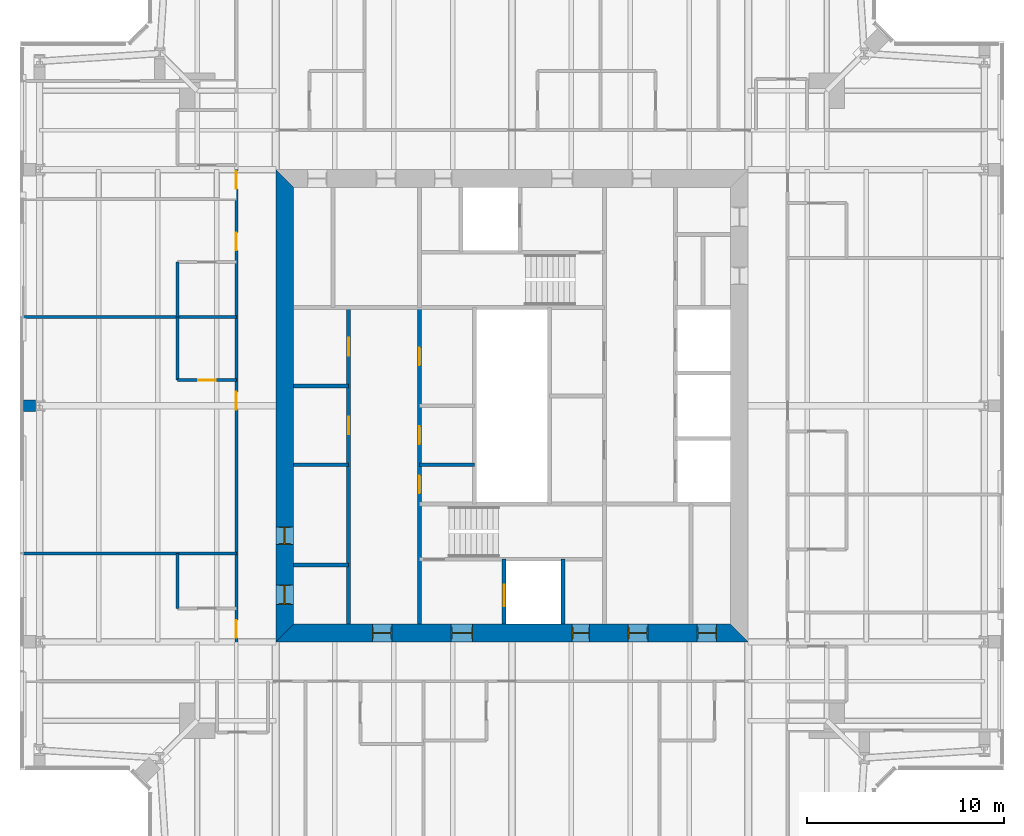
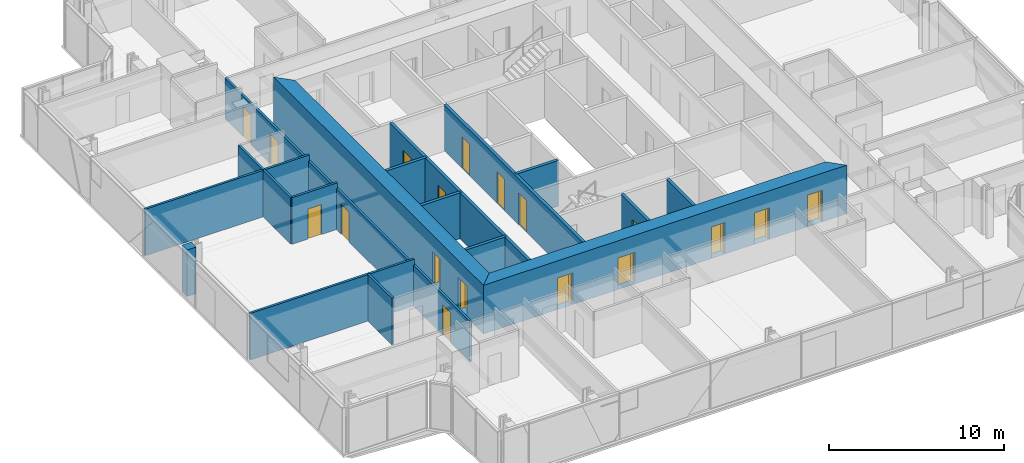
# One storey, part 12 of 19: 18 doors, 18 walls, 18 openings.
"""IFC4 building model written with IfcOpenShell, lengths in metres."""

from ifc_helpers import new_model, si_unit, direction, frame, frame_2d, origin, place, context, subcontext, project, spatial, polyline, rectangle, outline, extrude, material, layer, layer_set, type_object, element, fill, save


model = new_model("IFC4")

# Units and contexts
model_context = context("Model", 3, precision=1e-05, world=origin(), true_north=direction((0.0, 1.0)))
body_context = subcontext(model_context, "Body", "Model", "MODEL_VIEW")
ifc_project = project(units=[si_unit("LENGTHUNIT", "METRE"), si_unit("AREAUNIT", "SQUARE_METRE"), si_unit("VOLUMEUNIT", "CUBIC_METRE"), si_unit("PLANEANGLEUNIT", "RADIAN"), si_unit("MASSUNIT", "GRAM", prefix="KILO")], contexts=[model_context])

# Site, building, storey
site_placement = place(None, origin())
site = spatial("IfcSite", under=ifc_project, at=site_placement, CompositionType="ELEMENT")
building_placement = place(site_placement, origin())
building = spatial("IfcBuilding", under=site, at=building_placement, Name="Fenwick Lantern Interchange", CompositionType="ELEMENT")
storey_placement = place(building_placement, frame((0.0, 0.0, 273.0)))
storey = spatial("IfcBuildingStorey", under=building, at=storey_placement, Name="L65", CompositionType="ELEMENT", Elevation=273.0)

# Wall
ifc_material_1 = material(Name="Fire-rated gypsum board encasement on steel studs, 2 hour", Category="steel")
ifc_layer_1 = layer(ifc_material_1, 0.574951171875)
ifc_layer_set_1 = layer_set([ifc_layer_1], Name="COLUMN PIER 575")
wall_type_1 = type_object("IfcWallType", Name="COLUMN PIER 575", PredefinedType="PARTITIONING", material=ifc_layer_set_1)
wall_1_placement = place(storey_placement, frame((0.18994140625, 25.0, 0.0), z_axis=(0.0, 0.0, 1.0), x_axis=(1.0, 0.0, 0.0)))
element("IfcWall", 1, at=wall_1_placement, inside=storey, type_object=wall_type_1, Name="L65/W/PIER/CW3", PredefinedType="PARTITIONING", context=body_context, shape_type="SweptSolid", body=[
    extrude(rectangle(XDim=0.597900390625, YDim=0.574951171875, at=frame_2d((0.298828125, 0.0))), origin(), (0.0, 0.0, 1.0), 3.25),
])

# Wall, openings, doors
ifc_material_2 = material(Name="Concrete masonry ASTM C90 Grade N", Category="masonry")
ifc_layer_2 = layer(ifc_material_2, 0.199951171875)
ifc_layer_set_2 = layer_set([ifc_layer_2], Name="Concrete masonry ASTM C90 Grade N")
wall_type_2 = type_object("IfcWallType", Name="CORE PARTITION 200", PredefinedType="PARTITIONING", material=ifc_layer_set_2)
wall_2_placement = place(storey_placement, frame((16.699951171875, 13.89990234375, 0.0), z_axis=(0.0, 0.0, 1.0), x_axis=(0.0, 1.0, 0.0)))
wall_2 = element("IfcWall", 2, at=wall_2_placement, inside=storey, type_object=wall_type_2, Name="L65/W/CORES/a", PredefinedType="PARTITIONING", context=body_context, shape_type="SweptSolid", body=[
    extrude(rectangle(XDim=16.10009765625, YDim=0.199951171875, at=frame_2d((8.050048828125, 0.0))), origin(), (0.0, 0.0, 1.0), 3.199951171875),
])
opening_1_placement = place(wall_2_placement, frame((9.64990234375, 0.0, 0.0)))
opening_1 = element("IfcOpeningElement", 3, at=opening_1_placement, cuts=wall_2, Name="Opening L65-D009", PredefinedType="OPENING", context=body_context, shape_type="SweptSolid", body=[
    extrude(rectangle(XDim=0.89990234375, YDim=2.199951171875, at=frame_2d((0.449951171875, 1.10009765625))), frame((0.0, 0.10986328125, 0.0), z_axis=(0.0, -1.0, 0.0), x_axis=(1.0, 0.0, 0.0)), (0.0, 0.0, 1.0), 0.219970703125),
])
opening_2_placement = place(wall_2_placement, frame((13.64990234375, 0.0, 0.0)))
opening_2 = element("IfcOpeningElement", 4, at=opening_2_placement, cuts=wall_2, Name="Opening L65-D010", PredefinedType="OPENING", context=body_context, shape_type="SweptSolid", body=[
    extrude(rectangle(XDim=0.89990234375, YDim=2.199951171875, at=frame_2d((0.449951171875, 1.10009765625))), frame((0.0, 0.10986328125, 0.0), z_axis=(0.0, -1.0, 0.0), x_axis=(1.0, 0.0, 0.0)), (0.0, 0.0, 1.0), 0.219970703125),
])
ifc_material_3 = material(Name="Steel door and frame", Category="steel")
door_type_1 = type_object("IfcDoorType", Name="SERVICE DOOR 900 X 2200", OperationType="SINGLE_SWING_LEFT", PredefinedType="DOOR", material=ifc_material_3)
door_1_placement = place(opening_1_placement, origin())
door_1 = element("IfcDoor", 5, at=door_1_placement, inside=storey, type_object=door_type_1, Name="Service door", OperationType="SINGLE_SWING_LEFT", OverallHeight=2.199951171875, OverallWidth=0.89990234375, PredefinedType="DOOR", context=body_context, shape_type="SweptSolid", body=[
    extrude(rectangle(XDim=0.89990234375, YDim=2.199951171875, at=frame_2d((0.449951171875, 1.10009765625))), frame((0.0, 0.02490234375, 0.0), z_axis=(0.0, -1.0, 0.0), x_axis=(1.0, 0.0, 0.0)), (0.0, 0.0, 1.0), 0.050048828125),
])
fill(opening_1, door_1)
door_2_placement = place(opening_2_placement, origin())
door_2 = element("IfcDoor", 6, at=door_2_placement, inside=storey, type_object=door_type_1, Name="Service door", OperationType="SINGLE_SWING_LEFT", OverallHeight=2.199951171875, OverallWidth=0.89990234375, PredefinedType="DOOR", context=body_context, shape_type="SweptSolid", body=[
    extrude(rectangle(XDim=0.89990234375, YDim=2.199951171875, at=frame_2d((0.449951171875, 1.10009765625))), frame((0.0, 0.02490234375, 0.0), z_axis=(0.0, -1.0, 0.0), x_axis=(1.0, 0.0, 0.0)), (0.0, 0.0, 1.0), 0.050048828125),
])
fill(opening_2, door_2)

# Wall, opening, door
wall_3_placement = place(storey_placement, frame((24.60009765625, 13.89990234375, 0.0), z_axis=(0.0, 0.0, 1.0), x_axis=(0.0, 1.0, 0.0)))
wall_3 = element("IfcWall", 7, at=wall_3_placement, inside=storey, type_object=wall_type_2, Name="L65/W/CORES/h1", PredefinedType="PARTITIONING", context=body_context, shape_type="SweptSolid", body=[
    extrude(rectangle(XDim=3.300048828125, YDim=0.199951171875, at=frame_2d((1.64990234375, 0.0))), origin(), (0.0, 0.0, 1.0), 3.199951171875),
])
opening_3_placement = place(wall_3_placement, frame((0.89990234375, 0.0, 0.0)))
opening_3 = element("IfcOpeningElement", 8, at=opening_3_placement, cuts=wall_3, Name="Opening LD-FL1", PredefinedType="OPENING", context=body_context, shape_type="SweptSolid", body=[
    extrude(rectangle(XDim=1.10009765625, YDim=2.199951171875, at=frame_2d((0.550048828125, 1.10009765625))), frame((0.0, 0.10986328125, 0.0), z_axis=(0.0, -1.0, 0.0), x_axis=(1.0, 0.0, 0.0)), (0.0, 0.0, 1.0), 0.219970703125),
])
door_type_2 = type_object("IfcDoorType", Name="LIFT LANDING DOOR 1100 X 2200", OperationType="DOUBLE_DOOR_SLIDING", PredefinedType="DOOR", material=ifc_material_3)
door_3_placement = place(opening_3_placement, origin())
door_3 = element("IfcDoor", 9, at=door_3_placement, inside=storey, type_object=door_type_2, Name="Lift landing door FL1", OperationType="DOUBLE_DOOR_SLIDING", OverallHeight=2.199951171875, OverallWidth=1.10009765625, PredefinedType="DOOR", context=body_context, shape_type="SweptSolid", body=[
    extrude(rectangle(XDim=1.10009765625, YDim=2.199951171875, at=frame_2d((0.550048828125, 1.10009765625))), frame((0.0, 0.02490234375, 0.0), z_axis=(0.0, -1.0, 0.0), x_axis=(1.0, 0.0, 0.0)), (0.0, 0.0, 1.0), 0.050048828125),
])
fill(opening_3, door_3)

# Walls
wall_4_placement = place(storey_placement, frame((27.60009765625, 13.89990234375, 0.0), z_axis=(0.0, 0.0, 1.0), x_axis=(0.0, 1.0, 0.0)))
element("IfcWall", 10, at=wall_4_placement, inside=storey, type_object=wall_type_2, Name="L65/W/CORES/h2", PredefinedType="PARTITIONING", context=body_context, shape_type="SweptSolid", body=[
    extrude(rectangle(XDim=3.300048828125, YDim=0.199951171875, at=frame_2d((1.64990234375, 0.0))), origin(), (0.0, 0.0, 1.0), 3.199951171875),
])
for number, where, z_axis, x_axis, name in (
    (11, (13.89990234375, 16.89990234375, 0.0), (0.0, 0.0, 1.0), (1.0, 0.0, 0.0), "L65/W/CORES/p1"),
    (12, (13.89990234375, 22.0, 0.0), (0.0, 0.0, 1.0), (1.0, 0.0, 0.0), "L65/W/CORES/p2"),
    (13, (13.89990234375, 26.0, 0.0), (0.0, 0.0, 1.0), (1.0, 0.0, 0.0), "L65/W/CORES/p3"),
    (14, (20.300048828125, 22.0, 0.0), (0.0, 0.0, 1.0), (1.0, 0.0, 0.0), "L65/W/CORES/q1"),
):
    element("IfcWall", number, at=place(storey_placement, frame(where, z_axis=z_axis, x_axis=x_axis)), inside=storey, type_object=wall_type_2, Name=name, PredefinedType="PARTITIONING", context=body_context, shape_type="SweptSolid", body=[
        extrude(rectangle(XDim=2.800048828125, YDim=0.199951171875, at=frame_2d((1.39990234375, 0.0))), origin(), (0.0, 0.0, 1.0), 3.199951171875),
    ])

# Wall, openings, doors
ifc_material_4 = material(Name="Concrete f'c 70 MPa", Category="concrete")
ifc_layer_3 = layer(ifc_material_4, 0.89990234375)
ifc_layer_set_3 = layer_set([ifc_layer_3], Name="CORE WALL 900")
wall_type_3 = type_object("IfcWallType", Name="CORE WALL 900", PredefinedType="SHEAR", material=ifc_layer_set_3)
wall_5_placement = place(storey_placement, frame((13.0, 13.449951171875, 0.0), z_axis=(0.0, 0.0, 1.0), x_axis=(1.0, 0.0, 0.0)))
wall_5 = element("IfcWall", 15, at=wall_5_placement, inside=storey, type_object=wall_type_3, Name="L65/CORE/S", PredefinedType="SHEAR", context=body_context, shape_type="SweptSolid", body=[
    extrude(outline(polyline([(0.0, -0.449951171875), (24.0, -0.449951171875), (23.10009765625, 0.449951171875), (0.89990234375, 0.449951171875), (0.0, -0.449951171875)])), origin(), (0.0, 0.0, 1.0), 3.39990234375),
])
opening_4_placement = place(wall_5_placement, frame((4.89990234375, 0.0, 0.0)))
opening_4 = element("IfcOpeningElement", 16, at=opening_4_placement, cuts=wall_5, Name="Opening L65-D001", PredefinedType="OPENING", context=body_context, shape_type="SweptSolid", body=[
    extrude(rectangle(XDim=1.0, YDim=2.199951171875, at=frame_2d((0.5, 1.10009765625))), frame((0.0, 0.4599609375, 0.0), z_axis=(0.0, -1.0, 0.0), x_axis=(1.0, 0.0, 0.0)), (0.0, 0.0, 1.0), 0.919921875),
])
opening_5_placement = place(wall_5_placement, frame((8.89990234375, 0.0, 0.0)))
opening_5 = element("IfcOpeningElement", 17, at=opening_5_placement, cuts=wall_5, Name="Opening L65-D002", PredefinedType="OPENING", context=body_context, shape_type="SweptSolid", body=[
    extrude(rectangle(XDim=1.10009765625, YDim=2.199951171875, at=frame_2d((0.550048828125, 1.10009765625))), frame((0.0, 0.4599609375, 0.0), z_axis=(0.0, -1.0, 0.0), x_axis=(1.0, 0.0, 0.0)), (0.0, 0.0, 1.0), 0.919921875),
])
opening_6_placement = place(wall_5_placement, frame((15.050048828125, 0.0, 0.0)))
opening_6 = element("IfcOpeningElement", 18, at=opening_6_placement, cuts=wall_5, Name="Opening L65-D004", PredefinedType="OPENING", context=body_context, shape_type="SweptSolid", body=[
    extrude(rectangle(XDim=0.89990234375, YDim=2.199951171875, at=frame_2d((0.449951171875, 1.10009765625))), frame((0.0, 0.4599609375, 0.0), z_axis=(0.0, -1.0, 0.0), x_axis=(1.0, 0.0, 0.0)), (0.0, 0.0, 1.0), 0.919921875),
])
opening_7_placement = place(wall_5_placement, frame((17.89990234375, 0.0, 0.0)))
opening_7 = element("IfcOpeningElement", 19, at=opening_7_placement, cuts=wall_5, Name="Opening L65-D005", PredefinedType="OPENING", context=body_context, shape_type="SweptSolid", body=[
    extrude(rectangle(XDim=1.0, YDim=2.199951171875, at=frame_2d((0.5, 1.10009765625))), frame((0.0, 0.4599609375, 0.0), z_axis=(0.0, -1.0, 0.0), x_axis=(1.0, 0.0, 0.0)), (0.0, 0.0, 1.0), 0.919921875),
])
opening_8_placement = place(wall_5_placement, frame((21.39990234375, 0.0, 0.0)))
opening_8 = element("IfcOpeningElement", 20, at=opening_8_placement, cuts=wall_5, Name="Opening L65-D006", PredefinedType="OPENING", context=body_context, shape_type="SweptSolid", body=[
    extrude(rectangle(XDim=1.0, YDim=2.199951171875, at=frame_2d((0.5, 1.10009765625))), frame((0.0, 0.4599609375, 0.0), z_axis=(0.0, -1.0, 0.0), x_axis=(1.0, 0.0, 0.0)), (0.0, 0.0, 1.0), 0.919921875),
])
door_type_3 = type_object("IfcDoorType", Name="CORE LOBBY DOOR 1000 X 2200", OperationType="SINGLE_SWING_LEFT", PredefinedType="DOOR", material=ifc_material_3)
door_4_placement = place(opening_4_placement, origin())
door_4 = element("IfcDoor", 21, at=door_4_placement, inside=storey, type_object=door_type_3, Name="Core lobby door", OperationType="SINGLE_SWING_LEFT", OverallHeight=2.199951171875, OverallWidth=1.0, PredefinedType="DOOR", context=body_context, shape_type="SweptSolid", body=[
    extrude(rectangle(XDim=1.0, YDim=2.199951171875, at=frame_2d((0.5, 1.10009765625))), frame((0.0, 0.02490234375, 0.0), z_axis=(0.0, -1.0, 0.0), x_axis=(1.0, 0.0, 0.0)), (0.0, 0.0, 1.0), 0.050048828125),
    extrude(outline(polyline([(0.0, 0.0), (0.0400390625, 0.0), (0.0400390625, 2.159912109375), (0.9599609375, 2.159912109375), (0.9599609375, 0.0), (1.0, 0.0), (1.0, 2.199951171875), (0.0, 2.199951171875), (0.0, 0.0)])), frame((0.0, 0.300048828125, 0.0), z_axis=(0.0, -1.0, 0.0), x_axis=(1.0, 0.0, 0.0)), (0.0, 0.0, 1.0), 0.60009765625),
])
fill(opening_4, door_4)
door_type_4 = type_object("IfcDoorType", Name="FIRE LOBBY DOOR 1100 X 2200", OperationType="SINGLE_SWING_LEFT", PredefinedType="DOOR", material=ifc_material_3)
door_5_placement = place(opening_5_placement, origin())
door_5 = element("IfcDoor", 22, at=door_5_placement, inside=storey, type_object=door_type_4, Name="Fire lobby door", OperationType="SINGLE_SWING_LEFT", OverallHeight=2.199951171875, OverallWidth=1.10009765625, PredefinedType="DOOR", context=body_context, shape_type="SweptSolid", body=[
    extrude(rectangle(XDim=1.10009765625, YDim=2.199951171875, at=frame_2d((0.550048828125, 1.10009765625))), frame((0.0, 0.02490234375, 0.0), z_axis=(0.0, -1.0, 0.0), x_axis=(1.0, 0.0, 0.0)), (0.0, 0.0, 1.0), 0.050048828125),
    extrude(outline(polyline([(0.0, 0.0), (0.0400390625, 0.0), (0.0400390625, 2.159912109375), (1.06005859375, 2.159912109375), (1.06005859375, 0.0), (1.10009765625, 0.0), (1.10009765625, 2.199951171875), (0.0, 2.199951171875), (0.0, 0.0)])), frame((0.0, 0.300048828125, 0.0), z_axis=(0.0, -1.0, 0.0), x_axis=(1.0, 0.0, 0.0)), (0.0, 0.0, 1.0), 0.60009765625),
])
fill(opening_5, door_5)
door_6_placement = place(opening_6_placement, origin())
door_6 = element("IfcDoor", 23, at=door_6_placement, inside=storey, type_object=door_type_1, Name="Service door", OperationType="SINGLE_SWING_LEFT", OverallHeight=2.199951171875, OverallWidth=0.89990234375, PredefinedType="DOOR", context=body_context, shape_type="SweptSolid", body=[
    extrude(rectangle(XDim=0.89990234375, YDim=2.199951171875, at=frame_2d((0.449951171875, 1.10009765625))), frame((0.0, 0.02490234375, 0.0), z_axis=(0.0, -1.0, 0.0), x_axis=(1.0, 0.0, 0.0)), (0.0, 0.0, 1.0), 0.050048828125),
    extrude(outline(polyline([(0.0, 0.0), (0.0400390625, 0.0), (0.0400390625, 2.159912109375), (0.85986328125, 2.159912109375), (0.85986328125, 0.0), (0.89990234375, 0.0), (0.89990234375, 2.199951171875), (0.0, 2.199951171875), (0.0, 0.0)])), frame((0.0, 0.300048828125, 0.0), z_axis=(0.0, -1.0, 0.0), x_axis=(1.0, 0.0, 0.0)), (0.0, 0.0, 1.0), 0.60009765625),
])
fill(opening_6, door_6)
ifc_material_5 = material(Name="Hardwood door and steel frame", Category="steel")
door_type_5 = type_object("IfcDoorType", Name="WC DOOR 1000 X 2200", OperationType="SINGLE_SWING_LEFT", PredefinedType="DOOR", material=ifc_material_5)
door_7_placement = place(opening_7_placement, origin())
door_7 = element("IfcDoor", 24, at=door_7_placement, inside=storey, type_object=door_type_5, Name="Wc door", OperationType="SINGLE_SWING_LEFT", OverallHeight=2.199951171875, OverallWidth=1.0, PredefinedType="DOOR", context=body_context, shape_type="SweptSolid", body=[
    extrude(rectangle(XDim=1.0, YDim=2.199951171875, at=frame_2d((0.5, 1.10009765625))), frame((0.0, 0.02490234375, 0.0), z_axis=(0.0, -1.0, 0.0), x_axis=(1.0, 0.0, 0.0)), (0.0, 0.0, 1.0), 0.050048828125),
    extrude(outline(polyline([(0.0, 0.0), (0.0400390625, 0.0), (0.0400390625, 2.159912109375), (0.9599609375, 2.159912109375), (0.9599609375, 0.0), (1.0, 0.0), (1.0, 2.199951171875), (0.0, 2.199951171875), (0.0, 0.0)])), frame((0.0, 0.300048828125, 0.0), z_axis=(0.0, -1.0, 0.0), x_axis=(1.0, 0.0, 0.0)), (0.0, 0.0, 1.0), 0.60009765625),
])
fill(opening_7, door_7)
door_8_placement = place(opening_8_placement, origin())
door_8 = element("IfcDoor", 25, at=door_8_placement, inside=storey, type_object=door_type_5, Name="Wc door", OperationType="SINGLE_SWING_LEFT", OverallHeight=2.199951171875, OverallWidth=1.0, PredefinedType="DOOR", context=body_context, shape_type="SweptSolid", body=[
    extrude(rectangle(XDim=1.0, YDim=2.199951171875, at=frame_2d((0.5, 1.10009765625))), frame((0.0, 0.02490234375, 0.0), z_axis=(0.0, -1.0, 0.0), x_axis=(1.0, 0.0, 0.0)), (0.0, 0.0, 1.0), 0.050048828125),
    extrude(outline(polyline([(0.0, 0.0), (0.0400390625, 0.0), (0.0400390625, 2.159912109375), (0.9599609375, 2.159912109375), (0.9599609375, 0.0), (1.0, 0.0), (1.0, 2.199951171875), (0.0, 2.199951171875), (0.0, 0.0)])), frame((0.0, 0.300048828125, 0.0), z_axis=(0.0, -1.0, 0.0), x_axis=(1.0, 0.0, 0.0)), (0.0, 0.0, 1.0), 0.60009765625),
])
fill(opening_8, door_8)

wall_6_placement = place(storey_placement, frame((13.449951171875, 36.10009765625, 0.0), z_axis=(0.0, 0.0, 1.0), x_axis=(0.0, -1.0, 0.0)))
wall_6 = element("IfcWall", 26, at=wall_6_placement, inside=storey, type_object=wall_type_3, Name="L65/CORE/W", PredefinedType="SHEAR", context=body_context, shape_type="SweptSolid", body=[
    extrude(outline(polyline([(-0.89990234375, -0.449951171875), (23.10009765625, -0.449951171875), (22.199951171875, 0.449951171875), (0.0, 0.449951171875), (-0.89990234375, -0.449951171875)])), origin(), (0.0, 0.0, 1.0), 3.39990234375),
])
opening_9_placement = place(wall_6_placement, frame((20.199951171875, 0.0, 0.0)))
opening_9 = element("IfcOpeningElement", 27, at=opening_9_placement, cuts=wall_6, Name="Opening L65-D007", PredefinedType="OPENING", context=body_context, shape_type="SweptSolid", body=[
    extrude(rectangle(XDim=1.0, YDim=2.199951171875, at=frame_2d((0.5, 1.10009765625))), frame((0.0, 0.4599609375, 0.0), z_axis=(0.0, -1.0, 0.0), x_axis=(1.0, 0.0, 0.0)), (0.0, 0.0, 1.0), 0.919921875),
])
opening_10_placement = place(wall_6_placement, frame((17.25, 0.0, 0.0)))
opening_10 = element("IfcOpeningElement", 28, at=opening_10_placement, cuts=wall_6, Name="Opening L65-D008", PredefinedType="OPENING", context=body_context, shape_type="SweptSolid", body=[
    extrude(rectangle(XDim=0.89990234375, YDim=2.199951171875, at=frame_2d((0.449951171875, 1.10009765625))), frame((0.0, 0.4599609375, 0.0), z_axis=(0.0, -1.0, 0.0), x_axis=(1.0, 0.0, 0.0)), (0.0, 0.0, 1.0), 0.919921875),
])
door_9_placement = place(opening_10_placement, origin())
door_9 = element("IfcDoor", 29, at=door_9_placement, inside=storey, type_object=door_type_1, Name="Service door", OperationType="SINGLE_SWING_RIGHT", OverallHeight=2.199951171875, OverallWidth=0.89990234375, PredefinedType="DOOR", context=body_context, shape_type="SweptSolid", body=[
    extrude(rectangle(XDim=0.89990234375, YDim=2.199951171875, at=frame_2d((0.449951171875, 1.10009765625))), frame((0.0, 0.02490234375, 0.0), z_axis=(0.0, -1.0, 0.0), x_axis=(1.0, 0.0, 0.0)), (0.0, 0.0, 1.0), 0.050048828125),
    extrude(outline(polyline([(0.0, 0.0), (0.0400390625, 0.0), (0.0400390625, 2.159912109375), (0.85986328125, 2.159912109375), (0.85986328125, 0.0), (0.89990234375, 0.0), (0.89990234375, 2.199951171875), (0.0, 2.199951171875), (0.0, 0.0)])), frame((0.0, 0.300048828125, 0.0), z_axis=(0.0, -1.0, 0.0), x_axis=(1.0, 0.0, 0.0)), (0.0, 0.0, 1.0), 0.60009765625),
])
fill(opening_10, door_9)
door_10_placement = place(opening_9_placement, origin())
door_10 = element("IfcDoor", 30, at=door_10_placement, inside=storey, type_object=door_type_5, Name="Wc door", OperationType="SINGLE_SWING_LEFT", OverallHeight=2.199951171875, OverallWidth=1.0, PredefinedType="DOOR", context=body_context, shape_type="SweptSolid", body=[
    extrude(rectangle(XDim=1.0, YDim=2.199951171875, at=frame_2d((0.5, 1.10009765625))), frame((0.0, 0.02490234375, 0.0), z_axis=(0.0, -1.0, 0.0), x_axis=(1.0, 0.0, 0.0)), (0.0, 0.0, 1.0), 0.050048828125),
    extrude(outline(polyline([(0.0, 0.0), (0.0400390625, 0.0), (0.0400390625, 2.159912109375), (0.9599609375, 2.159912109375), (0.9599609375, 0.0), (1.0, 0.0), (1.0, 2.199951171875), (0.0, 2.199951171875), (0.0, 0.0)])), frame((0.0, 0.300048828125, 0.0), z_axis=(0.0, -1.0, 0.0), x_axis=(1.0, 0.0, 0.0)), (0.0, 0.0, 1.0), 0.60009765625),
])
fill(opening_9, door_10)

ifc_material_6 = material(Name="Gypsum board on steel studs, 1 hour", Category="steel")
ifc_layer_4 = layer(ifc_material_6, 0.14990234375)
ifc_layer_set_4 = layer_set([ifc_layer_4], Name="CORRIDOR WALL 150")
wall_type_4 = type_object("IfcWallType", Name="CORRIDOR WALL 150", PredefinedType="PARTITIONING", material=ifc_layer_set_4)
wall_7_placement = place(storey_placement, frame((11.0, 39.0, 0.0), z_axis=(0.0, 0.0, 1.0), x_axis=(0.0, -1.0, 0.0)))
wall_7 = element("IfcWall", 31, at=wall_7_placement, inside=storey, type_object=wall_type_4, Name="L65/W/HOTEL/W/CW", PredefinedType="PARTITIONING", context=body_context, shape_type="SweptSolid", body=[
    extrude(rectangle(XDim=28.0, YDim=0.14990234375, at=frame_2d((14.0, 0.0))), origin(), (0.0, 0.0, 1.0), 2.843505859375),
])
opening_11_placement = place(wall_7_placement, frame((2.074951171875, 0.0, 0.0)))
opening_11 = element("IfcOpeningElement", 32, at=opening_11_placement, cuts=wall_7, Name="Opening L65-D052", PredefinedType="OPENING", context=body_context, shape_type="SweptSolid", body=[
    extrude(rectangle(XDim=0.89990234375, YDim=2.10009765625, at=frame_2d((0.449951171875, 1.050048828125))), frame((0.0, 0.0849609375, 0.0), z_axis=(0.0, -1.0, 0.0), x_axis=(1.0, 0.0, 0.0)), (0.0, 0.0, 1.0), 0.169921875),
])
opening_12_placement = place(wall_7_placement, frame((5.199951171875, 0.0, 0.0)))
opening_12 = element("IfcOpeningElement", 33, at=opening_12_placement, cuts=wall_7, Name="Opening L65-D054", PredefinedType="OPENING", context=body_context, shape_type="SweptSolid", body=[
    extrude(rectangle(XDim=0.89990234375, YDim=2.10009765625, at=frame_2d((0.449951171875, 1.050048828125))), frame((0.0, 0.0849609375, 0.0), z_axis=(0.0, -1.0, 0.0), x_axis=(1.0, 0.0, 0.0)), (0.0, 0.0, 1.0), 0.169921875),
])
opening_13_placement = place(wall_7_placement, frame((13.300048828125, 0.0, 0.0)))
opening_13 = element("IfcOpeningElement", 34, at=opening_13_placement, cuts=wall_7, Name="Opening L65-D056", PredefinedType="OPENING", context=body_context, shape_type="SweptSolid", body=[
    extrude(rectangle(XDim=0.89990234375, YDim=2.10009765625, at=frame_2d((0.449951171875, 1.050048828125))), frame((0.0, 0.0849609375, 0.0), z_axis=(0.0, -1.0, 0.0), x_axis=(1.0, 0.0, 0.0)), (0.0, 0.0, 1.0), 0.169921875),
])
opening_14_placement = place(wall_7_placement, frame((24.89990234375, 0.0, 0.0)))
opening_14 = element("IfcOpeningElement", 35, at=opening_14_placement, cuts=wall_7, Name="Opening L65-D058", PredefinedType="OPENING", context=body_context, shape_type="SweptSolid", body=[
    extrude(rectangle(XDim=0.89990234375, YDim=2.10009765625, at=frame_2d((0.449951171875, 1.050048828125))), frame((0.0, 0.0849609375, 0.0), z_axis=(0.0, -1.0, 0.0), x_axis=(1.0, 0.0, 0.0)), (0.0, 0.0, 1.0), 0.169921875),
])
door_type_6 = type_object("IfcDoorType", Name="GUEST ROOM DOOR 900 X 2100", OperationType="SINGLE_SWING_LEFT", PredefinedType="DOOR", material=ifc_material_3)
door_11_placement = place(opening_11_placement, frame((0.89990234375, 0.0, 0.0), z_axis=(0.0, 0.0, 1.0), x_axis=(-1.0, 0.0, 0.0)))
door_11 = element("IfcDoor", 36, at=door_11_placement, inside=storey, type_object=door_type_6, Name="Guest room door", OperationType="SINGLE_SWING_RIGHT", OverallHeight=2.10009765625, OverallWidth=0.89990234375, PredefinedType="DOOR", context=body_context, shape_type="SweptSolid", body=[
    extrude(rectangle(XDim=0.89990234375, YDim=2.10009765625, at=frame_2d((0.449951171875, 1.050048828125))), frame((0.0, 0.02490234375, 0.0), z_axis=(0.0, -1.0, 0.0), x_axis=(1.0, 0.0, 0.0)), (0.0, 0.0, 1.0), 0.050048828125),
])
fill(opening_11, door_11)
door_12_placement = place(opening_12_placement, frame((0.89990234375, 0.0, 0.0), z_axis=(0.0, 0.0, 1.0), x_axis=(-1.0, 0.0, 0.0)))
door_12 = element("IfcDoor", 37, at=door_12_placement, inside=storey, type_object=door_type_6, Name="Guest room door", OperationType="SINGLE_SWING_LEFT", OverallHeight=2.10009765625, OverallWidth=0.89990234375, PredefinedType="DOOR", context=body_context, shape_type="SweptSolid", body=[
    extrude(rectangle(XDim=0.89990234375, YDim=2.10009765625, at=frame_2d((0.449951171875, 1.050048828125))), frame((0.0, 0.02490234375, 0.0), z_axis=(0.0, -1.0, 0.0), x_axis=(1.0, 0.0, 0.0)), (0.0, 0.0, 1.0), 0.050048828125),
])
fill(opening_12, door_12)
door_13_placement = place(opening_13_placement, frame((0.89990234375, 0.0, 0.0), z_axis=(0.0, 0.0, 1.0), x_axis=(-1.0, 0.0, 0.0)))
door_13 = element("IfcDoor", 38, at=door_13_placement, inside=storey, type_object=door_type_6, Name="Guest room door", OperationType="SINGLE_SWING_RIGHT", OverallHeight=2.10009765625, OverallWidth=0.89990234375, PredefinedType="DOOR", context=body_context, shape_type="SweptSolid", body=[
    extrude(rectangle(XDim=0.89990234375, YDim=2.10009765625, at=frame_2d((0.449951171875, 1.050048828125))), frame((0.0, 0.02490234375, 0.0), z_axis=(0.0, -1.0, 0.0), x_axis=(1.0, 0.0, 0.0)), (0.0, 0.0, 1.0), 0.050048828125),
])
fill(opening_13, door_13)
door_14_placement = place(opening_14_placement, frame((0.89990234375, 0.0, 0.0), z_axis=(0.0, 0.0, 1.0), x_axis=(-1.0, 0.0, 0.0)))
door_14 = element("IfcDoor", 39, at=door_14_placement, inside=storey, type_object=door_type_6, Name="Guest room door", OperationType="SINGLE_SWING_RIGHT", OverallHeight=2.10009765625, OverallWidth=0.89990234375, PredefinedType="DOOR", context=body_context, shape_type="SweptSolid", body=[
    extrude(rectangle(XDim=0.89990234375, YDim=2.10009765625, at=frame_2d((0.449951171875, 1.050048828125))), frame((0.0, 0.02490234375, 0.0), z_axis=(0.0, -1.0, 0.0), x_axis=(1.0, 0.0, 0.0)), (0.0, 0.0, 1.0), 0.050048828125),
])
fill(opening_14, door_14)

# Walls
ifc_material_7 = material(Name="Gypsum board on steel studs, moisture resistant", Category="steel")
ifc_layer_5 = layer(ifc_material_7, 0.14990234375)
ifc_layer_set_5 = layer_set([ifc_layer_5], Name="EN-SUITE WALL 150")
wall_type_5 = type_object("IfcWallType", Name="EN-SUITE WALL 150", PredefinedType="PARTITIONING", material=ifc_layer_set_5)
wall_8_placement = place(storey_placement, frame((8.0, 32.300048828125, 0.0), z_axis=(0.0, 0.0, 1.0), x_axis=(0.0, -1.0, 0.0)))
element("IfcWall", 40, at=wall_8_placement, inside=storey, type_object=wall_type_5, Name="L65/W/HOTEL/W/U2BW", PredefinedType="PARTITIONING", context=body_context, shape_type="SweptSolid", body=[
    extrude(rectangle(XDim=2.800048828125, YDim=0.14990234375, at=frame_2d((1.39990234375, 0.0))), origin(), (0.0, 0.0, 1.0), 3.25),
])
wall_9_placement = place(storey_placement, frame((8.0, 29.5, 0.0), z_axis=(0.0, 0.0, 1.0), x_axis=(0.0, -1.0, 0.0)))
element("IfcWall", 41, at=wall_9_placement, inside=storey, type_object=wall_type_5, Name="L65/W/HOTEL/W/U3BW", PredefinedType="PARTITIONING", context=body_context, shape_type="SweptSolid", body=[
    extrude(rectangle(XDim=3.199951171875, YDim=0.14990234375, at=frame_2d((1.60009765625, 0.0))), origin(), (0.0, 0.0, 1.0), 3.25),
])

# Wall, opening, door
wall_10_placement = place(storey_placement, frame((8.0, 26.300048828125, 0.0), z_axis=(0.0, 0.0, 1.0), x_axis=(1.0, 0.0, 0.0)))
wall_10 = element("IfcWall", 42, at=wall_10_placement, inside=storey, type_object=wall_type_5, Name="L65/W/HOTEL/W/U3BX", PredefinedType="PARTITIONING", context=body_context, shape_type="SweptSolid", body=[
    extrude(rectangle(XDim=3.0, YDim=0.14990234375, at=frame_2d((1.5, 0.0))), origin(), (0.0, 0.0, 1.0), 3.25),
])
opening_15_placement = place(wall_10_placement, frame((1.050048828125, 0.0, 0.0)))
opening_15 = element("IfcOpeningElement", 43, at=opening_15_placement, cuts=wall_10, Name="Opening L65-D055", PredefinedType="OPENING", context=body_context, shape_type="SweptSolid", body=[
    extrude(rectangle(XDim=0.89990234375, YDim=2.10009765625, at=frame_2d((0.449951171875, 1.050048828125))), frame((0.0, 0.0849609375, 0.0), z_axis=(0.0, -1.0, 0.0), x_axis=(1.0, 0.0, 0.0)), (0.0, 0.0, 1.0), 0.169921875),
])
door_type_7 = type_object("IfcDoorType", Name="EN-SUITE DOOR 900 X 2100", OperationType="SINGLE_SWING_LEFT", PredefinedType="DOOR", material=ifc_material_5)
door_15_placement = place(opening_15_placement, origin())
door_15 = element("IfcDoor", 44, at=door_15_placement, inside=storey, type_object=door_type_7, Name="En-suite door", OperationType="SINGLE_SWING_LEFT", OverallHeight=2.10009765625, OverallWidth=0.89990234375, PredefinedType="DOOR", context=body_context, shape_type="SweptSolid", body=[
    extrude(rectangle(XDim=0.89990234375, YDim=2.10009765625, at=frame_2d((0.449951171875, 1.050048828125))), frame((0.0, 0.02490234375, 0.0), z_axis=(0.0, -1.0, 0.0), x_axis=(1.0, 0.0, 0.0)), (0.0, 0.0, 1.0), 0.050048828125),
])
fill(opening_15, door_15)

# Walls
wall_11_placement = place(storey_placement, frame((8.0, 17.5, 0.0), z_axis=(0.0, 0.0, 1.0), x_axis=(0.0, -1.0, 0.0)))
element("IfcWall", 45, at=wall_11_placement, inside=storey, type_object=wall_type_5, Name="L65/W/HOTEL/W/U4BW", PredefinedType="PARTITIONING", context=body_context, shape_type="SweptSolid", body=[
    extrude(rectangle(XDim=2.800048828125, YDim=0.14990234375, at=frame_2d((1.39990234375, 0.0))), origin(), (0.0, 0.0, 1.0), 3.25),
])
ifc_material_8 = material(Name="Gypsum board on steel studs, 1 hour acoustic", Category="steel")
ifc_layer_6 = layer(ifc_material_8, 0.14990234375)
ifc_layer_set_6 = layer_set([ifc_layer_6], Name="PARTY WALL 150")
wall_type_6 = type_object("IfcWallType", Name="PARTY WALL 150", PredefinedType="PARTITIONING", material=ifc_layer_set_6)
for number, where, z_axis, x_axis, name in (
    (46, (0.14990234375, 29.5, 0.0), (0.0, 0.0, 1.0), (1.0, 0.0, 0.0), "L65/W/HOTEL/W/U3PW"),
    (47, (0.14990234375, 17.5, 0.0), (0.0, 0.0, 1.0), (1.0, 0.0, 0.0), "L65/W/HOTEL/W/U4PW"),
):
    element("IfcWall", number, at=place(storey_placement, frame(where, z_axis=z_axis, x_axis=x_axis)), inside=storey, type_object=wall_type_6, Name=name, PredefinedType="PARTITIONING", context=body_context, shape_type="SweptSolid", body=[
        extrude(rectangle(XDim=10.85009765625, YDim=0.14990234375, at=frame_2d((5.425048828125, 0.0))), origin(), (0.0, 0.0, 1.0), 3.25),
    ])

# Wall, openings, doors
ifc_material_9 = material(Name="Concrete f'c 45 MPa", Category="concrete")
ifc_layer_7 = layer(ifc_material_9, 0.199951171875)
ifc_layer_set_7 = layer_set([ifc_layer_7], Name="STAIR CORE WALL 200")
wall_type_7 = type_object("IfcWallType", Name="STAIR CORE WALL 200", PredefinedType="SOLIDWALL", material=ifc_layer_set_7)
wall_12_placement = place(storey_placement, frame((20.300048828125, 13.89990234375, 0.0), z_axis=(0.0, 0.0, 1.0), x_axis=(0.0, 1.0, 0.0)))
wall_12 = element("IfcWall", 48, at=wall_12_placement, inside=storey, type_object=wall_type_7, Name="L65/W/CORES/b", PredefinedType="SOLIDWALL", context=body_context, shape_type="SweptSolid", body=[
    extrude(rectangle(XDim=16.10009765625, YDim=0.199951171875, at=frame_2d((8.050048828125, 0.0))), origin(), (0.0, 0.0, 1.0), 3.199951171875),
])
opening_16_placement = place(wall_12_placement, frame((6.64990234375, 0.0, 0.0)))
opening_16 = element("IfcOpeningElement", 49, at=opening_16_placement, cuts=wall_12, Name="Opening L65-D011", PredefinedType="OPENING", context=body_context, shape_type="SweptSolid", body=[
    extrude(rectangle(XDim=0.89990234375, YDim=2.199951171875, at=frame_2d((0.449951171875, 1.10009765625))), frame((0.0, 0.10986328125, 0.0), z_axis=(0.0, -1.0, 0.0), x_axis=(1.0, 0.0, 0.0)), (0.0, 0.0, 1.0), 0.219970703125),
])
opening_17_placement = place(wall_12_placement, frame((9.14990234375, 0.0, 0.0)))
opening_17 = element("IfcOpeningElement", 50, at=opening_17_placement, cuts=wall_12, Name="Opening L65-D012", PredefinedType="OPENING", context=body_context, shape_type="SweptSolid", body=[
    extrude(rectangle(XDim=0.89990234375, YDim=2.199951171875, at=frame_2d((0.449951171875, 1.10009765625))), frame((0.0, 0.10986328125, 0.0), z_axis=(0.0, -1.0, 0.0), x_axis=(1.0, 0.0, 0.0)), (0.0, 0.0, 1.0), 0.219970703125),
])
opening_18_placement = place(wall_12_placement, frame((13.14990234375, 0.0, 0.0)))
opening_18 = element("IfcOpeningElement", 51, at=opening_18_placement, cuts=wall_12, Name="Opening L65-D013", PredefinedType="OPENING", context=body_context, shape_type="SweptSolid", body=[
    extrude(rectangle(XDim=0.89990234375, YDim=2.199951171875, at=frame_2d((0.449951171875, 1.10009765625))), frame((0.0, 0.10986328125, 0.0), z_axis=(0.0, -1.0, 0.0), x_axis=(1.0, 0.0, 0.0)), (0.0, 0.0, 1.0), 0.219970703125),
])
door_16_placement = place(opening_16_placement, frame((0.89990234375, 0.0, 0.0), z_axis=(0.0, 0.0, 1.0), x_axis=(-1.0, 0.0, 0.0)))
door_16 = element("IfcDoor", 52, at=door_16_placement, inside=storey, type_object=door_type_1, Name="Service door", OperationType="SINGLE_SWING_RIGHT", OverallHeight=2.199951171875, OverallWidth=0.89990234375, PredefinedType="DOOR", context=body_context, shape_type="SweptSolid", body=[
    extrude(rectangle(XDim=0.89990234375, YDim=2.199951171875, at=frame_2d((0.449951171875, 1.10009765625))), frame((0.0, 0.02490234375, 0.0), z_axis=(0.0, -1.0, 0.0), x_axis=(1.0, 0.0, 0.0)), (0.0, 0.0, 1.0), 0.050048828125),
])
fill(opening_16, door_16)
door_17_placement = place(opening_17_placement, frame((0.89990234375, 0.0, 0.0), z_axis=(0.0, 0.0, 1.0), x_axis=(-1.0, 0.0, 0.0)))
door_17 = element("IfcDoor", 53, at=door_17_placement, inside=storey, type_object=door_type_1, Name="Service door", OperationType="SINGLE_SWING_RIGHT", OverallHeight=2.199951171875, OverallWidth=0.89990234375, PredefinedType="DOOR", context=body_context, shape_type="SweptSolid", body=[
    extrude(rectangle(XDim=0.89990234375, YDim=2.199951171875, at=frame_2d((0.449951171875, 1.10009765625))), frame((0.0, 0.02490234375, 0.0), z_axis=(0.0, -1.0, 0.0), x_axis=(1.0, 0.0, 0.0)), (0.0, 0.0, 1.0), 0.050048828125),
])
fill(opening_17, door_17)
door_18_placement = place(opening_18_placement, frame((0.89990234375, 0.0, 0.0), z_axis=(0.0, 0.0, 1.0), x_axis=(-1.0, 0.0, 0.0)))
door_18 = element("IfcDoor", 54, at=door_18_placement, inside=storey, type_object=door_type_1, Name="Service door", OperationType="SINGLE_SWING_RIGHT", OverallHeight=2.199951171875, OverallWidth=0.89990234375, PredefinedType="DOOR", context=body_context, shape_type="SweptSolid", body=[
    extrude(rectangle(XDim=0.89990234375, YDim=2.199951171875, at=frame_2d((0.449951171875, 1.10009765625))), frame((0.0, 0.02490234375, 0.0), z_axis=(0.0, -1.0, 0.0), x_axis=(1.0, 0.0, 0.0)), (0.0, 0.0, 1.0), 0.050048828125),
])
fill(opening_18, door_18)

save(model, "model.ifc")
